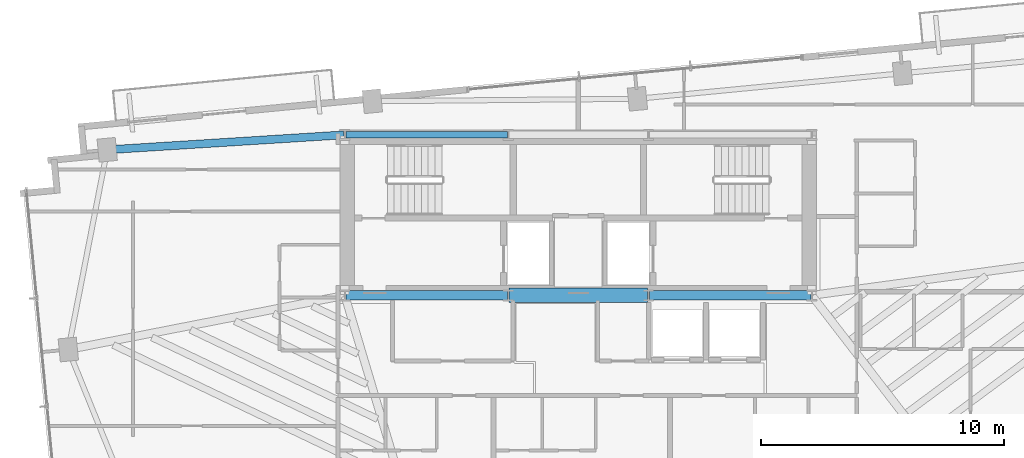
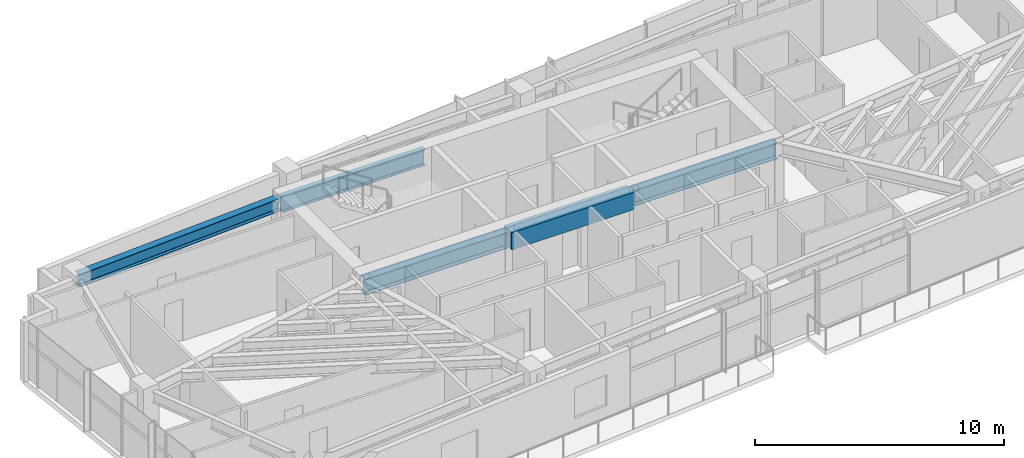
# One storey, part 5 of 18: 5 beams.
"""IFC4 building model written with IfcOpenShell, lengths in metres."""

from ifc_helpers import new_model, si_unit, direction, frame, origin, origin_2d, place, context, subcontext, project, spatial, rectangle, i_section, extrude, source, transform, mapped, material, material_profile, profile_set, type_object, type_shapes, element, save


model = new_model("IFC4")

# Units and contexts
model_context = context("Model", 3, precision=1e-05, world=origin(), true_north=direction((0.0, 1.0)))
body_context = subcontext(model_context, "Body", "Model", "MODEL_VIEW")
ifc_project = project(units=[si_unit("LENGTHUNIT", "METRE"), si_unit("AREAUNIT", "SQUARE_METRE"), si_unit("VOLUMEUNIT", "CUBIC_METRE"), si_unit("PLANEANGLEUNIT", "RADIAN"), si_unit("MASSUNIT", "GRAM", prefix="KILO")], contexts=[model_context])

# Site, building, storey
site_placement = place(None, origin())
site = spatial("IfcSite", under=ifc_project, at=site_placement, CompositionType="ELEMENT")
building_placement = place(site_placement, origin())
building = spatial("IfcBuilding", under=site, at=building_placement, Name="Astriad Promenade Condominiums", CompositionType="ELEMENT")
storey_placement = place(building_placement, frame((0.0, 0.0, 189.0)))
storey = spatial("IfcBuildingStorey", under=building, at=storey_placement, Name="L54", CompositionType="ELEMENT", Elevation=189.0)

# Beams
ifc_material_1 = material(Name="Steel ASTM A992 Grade 50", Category="steel")
ifc_material_profile_1 = material_profile(ifc_material_1, i_section(OverallWidth=0.3837890625, OverallDepth=0.785888671875, WebThickness=0.019775390625, FlangeThickness=0.033447265625, FilletRadius=0.021484375, at=origin_2d()), Name="W30X211")
ifc_profile_set_1 = profile_set([ifc_material_profile_1], Name="Steel ASTM A992 Grade 50")
beam_type_1 = type_object("IfcBeamType", Name="STEEL FLOOR GIRDER W30X211", PredefinedType="BEAM", material=ifc_profile_set_1)
shared_shape_1 = source(origin(), body_context, "Body", "SweptSolid", [
    extrude(i_section(OverallWidth=0.3837890625, OverallDepth=0.785888671875, WebThickness=0.019775390625, FlangeThickness=0.033447265625, FilletRadius=0.021484375, at=origin_2d()), origin(), (0.0, 0.0, 1.0), 6.64013671875),
])
type_shapes(beam_type_1, [shared_shape_1])
for number, where, z_axis, x_axis, name in (
    (1, (26.43994140625, 17.39990234375, 2.547119140625), (1.0, 0.0, 0.0), (0.0, 1.0, 0.0), "Core Ring Beam CG-S1-L54"),
    (2, (38.919921875, 17.39990234375, 2.547119140625), (1.0, 0.0, 0.0), (0.0, 1.0, 0.0), "Core Ring Beam CG-S3-L54"),
):
    element("IfcBeam", number, at=place(storey_placement, frame(where, z_axis=z_axis, x_axis=x_axis)), inside=storey, type_object=beam_type_1, Name=name, PredefinedType="BEAM", context=body_context, shape_type="MappedRepresentation", body=[
        mapped(shared_shape_1, transform((0.0, 0.0, 0.0), scale=1.0)),
    ])
ifc_material_profile_2 = material_profile(ifc_material_1, i_section(OverallWidth=0.267822265625, OverallDepth=0.76953125, WebThickness=0.015625, FlangeThickness=0.025390625, FilletRadius=0.021484375, at=origin_2d()), Name="W30X132")
ifc_profile_set_2 = profile_set([ifc_material_profile_2], Name="Steel ASTM A992 Grade 50")
beam_type_2 = type_object("IfcBeamType", Name="STEEL FLOOR GIRDER W30X132", PredefinedType="BEAM", material=ifc_profile_set_2)
shared_shape_2 = source(origin(), body_context, "Body", "SweptSolid", [
    extrude(i_section(OverallWidth=0.267822265625, OverallDepth=0.76953125, WebThickness=0.015625, FlangeThickness=0.025390625, FilletRadius=0.021484375, at=origin_2d()), origin(), (0.0, 0.0, 1.0), 6.64013671875),
])
type_shapes(beam_type_2, [shared_shape_2])
beam_1_placement = place(storey_placement, frame((26.43994140625, 24.0, 2.55517578125), z_axis=(1.0, 0.0, 0.0), x_axis=(0.0, 1.0, 0.0)))
element("IfcBeam", 3, at=beam_1_placement, inside=storey, type_object=beam_type_2, Name="Core Ring Beam CG-N1-L54", PredefinedType="BEAM", context=body_context, shape_type="MappedRepresentation", body=[
    mapped(shared_shape_2, transform((0.0, 0.0, 0.0), scale=1.0)),
])
ifc_material_2 = material(Name="Concrete C60/75", Category="concrete")
ifc_material_profile_3 = material_profile(ifc_material_2, rectangle(XDim=0.60009765625, YDim=0.85009765625, at=origin_2d()), Name="RC-BM-600X850")
ifc_profile_set_3 = profile_set([ifc_material_profile_3], Name="Concrete C60/75")
beam_type_3 = type_object("IfcBeamType", Name="CONCRETE CORE COUPLING LINTEL 600X850", PredefinedType="LINTEL", material=ifc_profile_set_3)
shared_shape_3 = source(origin(), body_context, "Body", "SweptSolid", [
    extrude(rectangle(XDim=0.60009765625, YDim=0.85009765625, at=origin_2d()), origin(), (0.0, 0.0, 1.0), 5.68017578125),
])
type_shapes(beam_type_3, [shared_shape_3])
beam_2_placement = place(storey_placement, frame((33.159912109375, 17.39990234375, 2.514892578125), z_axis=(1.0, 0.0, 0.0), x_axis=(0.0, 1.0, 0.0)))
element("IfcBeam", 4, at=beam_2_placement, inside=storey, type_object=beam_type_3, Name="Core Ring Beam CG-S2-L54", PredefinedType="LINTEL", context=body_context, shape_type="MappedRepresentation", body=[
    mapped(shared_shape_3, transform((0.0, 0.0, 0.0), scale=1.0)),
])
ifc_material_profile_4 = material_profile(ifc_material_1, i_section(OverallWidth=0.326416015625, OverallDepth=0.621826171875, WebThickness=0.015380859375, FlangeThickness=0.0244140625, FilletRadius=0.017822265625, at=origin_2d()), Name="W24X131")
ifc_profile_set_4 = profile_set([ifc_material_profile_4], Name="Steel ASTM A992 Grade 50")
beam_type_4 = type_object("IfcBeamType", Name="STEEL FLOOR GIRDER W24X131", PredefinedType="BEAM", material=ifc_profile_set_4)
shared_shape_4 = source(origin(), body_context, "Body", "SweptSolid", [
    extrude(i_section(OverallWidth=0.326416015625, OverallDepth=0.621826171875, WebThickness=0.015380859375, FlangeThickness=0.0244140625, FilletRadius=0.017822265625, at=origin_2d()), origin(), (0.0, 0.0, 1.0), 9.707275390625),
])
type_shapes(beam_type_4, [shared_shape_4])
beam_3_placement = place(storey_placement, frame((16.672119140625, 23.38671875, 2.629150390625), z_axis=(0.998018176507, 0.062926301034, 0.0), x_axis=(-0.062926301034, 0.998018176507, 0.0)))
element("IfcBeam", 5, at=beam_3_placement, inside=storey, type_object=beam_type_4, Name="Primary Floor Girder PG-NW-L54", PredefinedType="BEAM", context=body_context, shape_type="MappedRepresentation", body=[
    mapped(shared_shape_4, transform((0.0, 0.0, 0.0), scale=1.0)),
])

save(model, "model.ifc")
